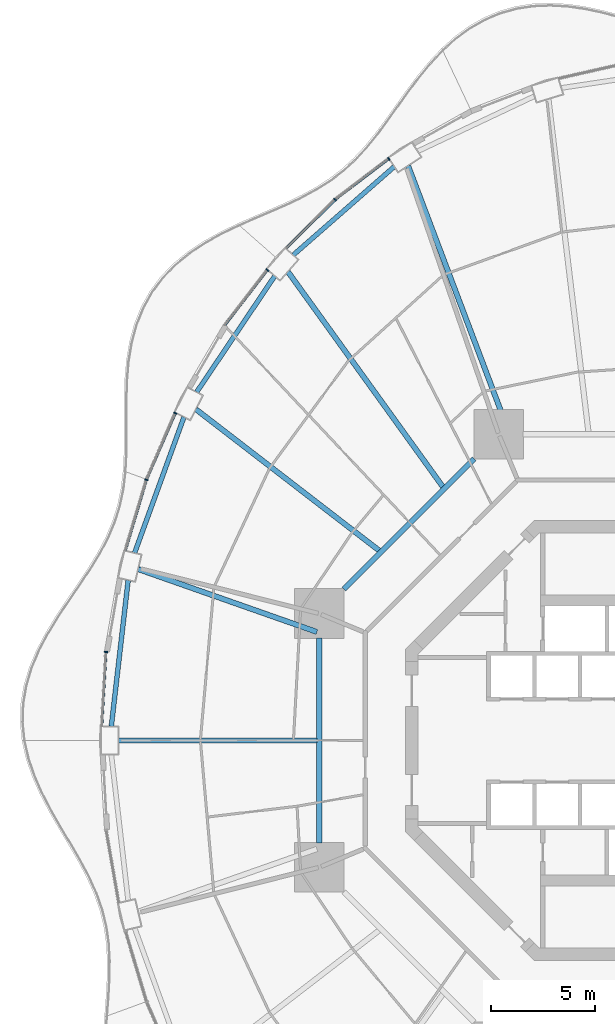
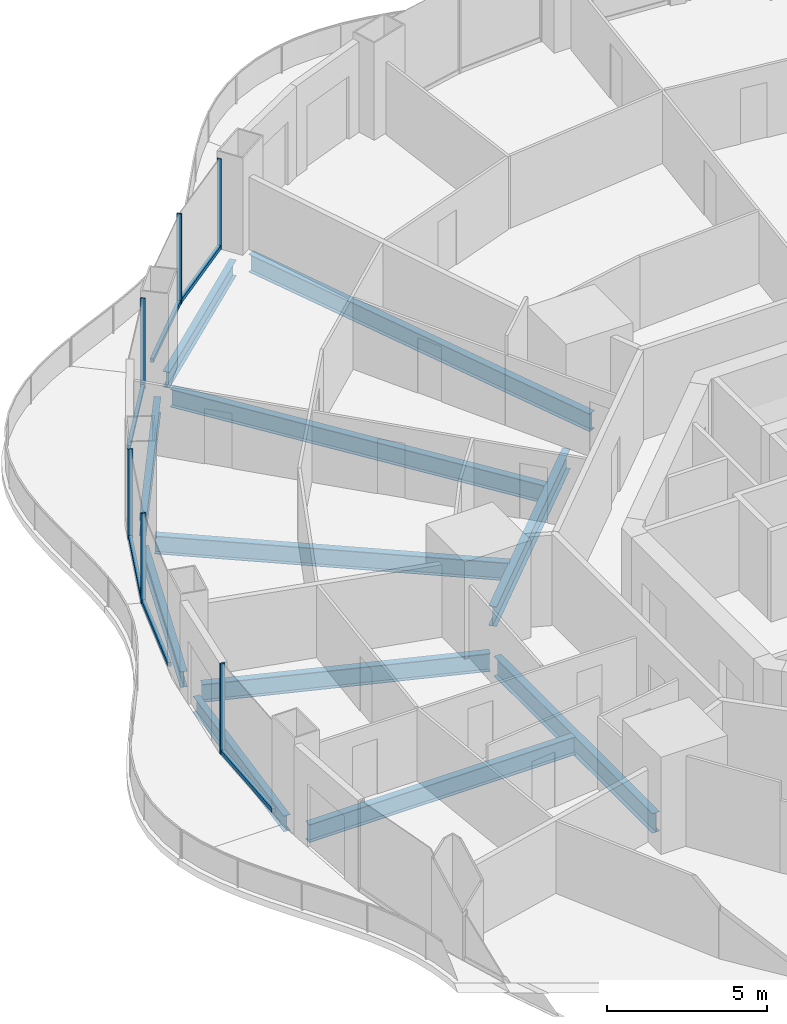
# One storey, part 7 of 23: 12 members, 11 beams, 6 elements without a shape of their own.
"""IFC4 building model written with IfcOpenShell, lengths in metres."""

from ifc_helpers import new_model, si_unit, direction, frame, origin, origin_2d, place, context, subcontext, project, spatial, rectangle, i_section, extrude, material, layer, layer_set, material_profile, profile_set, type_object, element, aggregate, save


model = new_model("IFC4")

# Units and contexts
model_context = context("Model", 3, precision=1e-05, world=origin(), true_north=direction((0.0, 1.0)))
body_context = subcontext(model_context, "Body", "Model", "MODEL_VIEW")
ifc_project = project(units=[si_unit("LENGTHUNIT", "METRE"), si_unit("AREAUNIT", "SQUARE_METRE"), si_unit("VOLUMEUNIT", "CUBIC_METRE"), si_unit("PLANEANGLEUNIT", "RADIAN"), si_unit("MASSUNIT", "GRAM", prefix="KILO")], contexts=[model_context])

# Site, building, storey
site_placement = place(None, origin())
site = spatial("IfcSite", under=ifc_project, at=site_placement, CompositionType="ELEMENT")
building_placement = place(site_placement, origin())
building = spatial("IfcBuilding", under=site, at=building_placement, Name="Nagisa Residences", CompositionType="ELEMENT")
storey_placement = place(building_placement, frame((0.0, 0.0, 56.60009765625)))
storey = spatial("IfcBuildingStorey", under=building, at=storey_placement, Name="L13", CompositionType="ELEMENT", Elevation=56.60009765625)

# Curtain wall, member
ifc_material_1 = material(Name="Concrete-coloured aluminium curtain wall system", Category="concrete")
ifc_layer = layer(ifc_material_1, 0.159912109375)
ifc_layer_set = layer_set([ifc_layer], Name="CW1 CURTAIN WALL")
curtain_wall_type = type_object("IfcCurtainWallType", Name="CW1 CURTAIN WALL", PredefinedType="NOTDEFINED", material=ifc_layer_set)
curtain_wall_1_placement = place(storey_placement, origin())
curtain_wall_1 = element("IfcCurtainWall", 1, at=curtain_wall_1_placement, inside=storey, type_object=curtain_wall_type, Name="cw:CW1:L13:16", PredefinedType="NOTDEFINED")
ifc_material_2 = material(Name="Concrete-coloured aluminium", Category="concrete")
ifc_material_profile_1 = material_profile(ifc_material_2, rectangle(XDim=0.159912109375, YDim=0.06005859375, at=origin_2d()), Name="CW1 MULLION 160x60")
ifc_profile_set_1 = profile_set([ifc_material_profile_1], Name="Concrete-coloured aluminium")
member_type_1 = type_object("IfcMemberType", Name="CW1 MULLION 160x60", PredefinedType="MULLION", material=ifc_profile_set_1)
member_1_placement = place(storey_placement, frame((-11.4326171875, 28.0732421875, 0.0), z_axis=(0.0, 0.0, 1.0), x_axis=(0.605255421737, -0.79603132756, 0.0)))
member_1 = element("IfcMember", 2, at=member_1_placement, type_object=member_type_1, Name="CW1 mullion", PredefinedType="MULLION", context=body_context, shape_type="SweptSolid", body=[
    extrude(rectangle(XDim=0.159912109375, YDim=0.06005859375, at=origin_2d()), origin(), (0.0, 0.0, 1.0), 3.43994140625),
])

curtain_wall_2_placement = place(storey_placement, origin())
curtain_wall_2 = element("IfcCurtainWall", 3, at=curtain_wall_2_placement, inside=storey, type_object=curtain_wall_type, Name="cw:CW1:L13:17", PredefinedType="NOTDEFINED")
member_2_placement = place(storey_placement, frame((-14.018798828125, 26.102783203125, 0.0), z_axis=(0.0, 0.0, 1.0), x_axis=(0.706376885714, -0.707835924016, 0.0)))
member_2 = element("IfcMember", 4, at=member_2_placement, type_object=member_type_1, Name="CW1 mullion", PredefinedType="MULLION", context=body_context, shape_type="SweptSolid", body=[
    extrude(rectangle(XDim=0.159912109375, YDim=0.06005859375, at=origin_2d()), origin(), (0.0, 0.0, 1.0), 3.43994140625),
])

curtain_wall_3_placement = place(storey_placement, origin())
curtain_wall_3 = element("IfcCurtainWall", 5, at=curtain_wall_3_placement, inside=storey, type_object=curtain_wall_type, Name="cw:CW1:L13:18", PredefinedType="NOTDEFINED")
member_3_placement = place(storey_placement, frame((-17.288330078125, 22.70751953125, 0.0), z_axis=(0.0, 0.0, 1.0), x_axis=(0.792070340816, -0.610429828235, 0.0)))
member_3 = element("IfcMember", 6, at=member_3_placement, type_object=member_type_1, Name="CW1 mullion", PredefinedType="MULLION", context=body_context, shape_type="SweptSolid", body=[
    extrude(rectangle(XDim=0.159912109375, YDim=0.06005859375, at=origin_2d()), origin(), (0.0, 0.0, 1.0), 3.43994140625),
])

curtain_wall_4_placement = place(storey_placement, origin())
curtain_wall_4 = element("IfcCurtainWall", 7, at=curtain_wall_4_placement, inside=storey, type_object=curtain_wall_type, Name="cw:CW1:L13:20", PredefinedType="NOTDEFINED")
member_4_placement = place(storey_placement, frame((-21.731689453125, 15.79833984375, 0.0), z_axis=(0.0, 0.0, 1.0), x_axis=(0.917543276295, -0.397635934147, 0.0)))
member_4 = element("IfcMember", 8, at=member_4_placement, type_object=member_type_1, Name="CW1 mullion", PredefinedType="MULLION", context=body_context, shape_type="SweptSolid", body=[
    extrude(rectangle(XDim=0.159912109375, YDim=0.06005859375, at=origin_2d()), origin(), (0.0, 0.0, 1.0), 3.43994140625),
])

curtain_wall_5_placement = place(storey_placement, origin())
curtain_wall_5 = element("IfcCurtainWall", 9, at=curtain_wall_5_placement, inside=storey, type_object=curtain_wall_type, Name="cw:CW1:L13:21", PredefinedType="NOTDEFINED")
member_5_placement = place(storey_placement, frame((-23.12451171875, 12.576904296875, 0.0), z_axis=(0.0, 0.0, 1.0), x_axis=(0.958271310082, -0.285860274038, 0.0)))
member_5 = element("IfcMember", 10, at=member_5_placement, type_object=member_type_1, Name="CW1 mullion", PredefinedType="MULLION", context=body_context, shape_type="SweptSolid", body=[
    extrude(rectangle(XDim=0.159912109375, YDim=0.06005859375, at=origin_2d()), origin(), (0.0, 0.0, 1.0), 3.43994140625),
])

curtain_wall_6_placement = place(storey_placement, origin())
curtain_wall_6 = element("IfcCurtainWall", 11, at=curtain_wall_6_placement, inside=storey, type_object=curtain_wall_type, Name="cw:CW1:L13:23", PredefinedType="NOTDEFINED")
member_6_placement = place(storey_placement, frame((-25.07373046875, 4.272705078125, 0.0), z_axis=(0.0, 0.0, 1.0), x_axis=(0.998345305184, -0.057503492216, 0.0)))
member_6 = element("IfcMember", 12, at=member_6_placement, type_object=member_type_1, Name="CW1 mullion", PredefinedType="MULLION", context=body_context, shape_type="SweptSolid", body=[
    extrude(rectangle(XDim=0.159912109375, YDim=0.06005859375, at=origin_2d()), origin(), (0.0, 0.0, 1.0), 3.43994140625),
])

# Member
ifc_material_3 = material(Name="Concrete-coloured aluminium", Category="concrete")
ifc_material_profile_2 = material_profile(ifc_material_3, rectangle(XDim=0.1201171875, YDim=0.14990234375, at=origin_2d()), Name="CW1 TRANSOM 120x150")
ifc_profile_set_2 = profile_set([ifc_material_profile_2], Name="Concrete-coloured aluminium")
member_type_2 = type_object("IfcMemberType", Name="CW1 TRANSOM 120x150", PredefinedType="USERDEFINED", material=ifc_profile_set_2)
member_7_placement = place(storey_placement, frame((-11.40869140625, 28.091552734375, 0.074951171875), z_axis=(-0.796022293214, -0.605267303517, 0.0), x_axis=(0.605267303517, -0.796022293214, 0.0)))
member_7 = element("IfcMember", 13, at=member_7_placement, type_object=member_type_2, Name="CW1 transom", ObjectType="TRANSOM", PredefinedType="USERDEFINED", context=body_context, shape_type="SweptSolid", body=[
    extrude(rectangle(XDim=0.1201171875, YDim=0.14990234375, at=origin_2d()), origin(), (0.0, 0.0, 1.0), 3.262451171875),
])

aggregate(curtain_wall_1, [member_1, member_7])

member_8_placement = place(storey_placement, frame((-13.99755859375, 26.1240234375, 0.074951171875), z_axis=(-0.707839761606, -0.706373040177, 0.0), x_axis=(0.706373040177, -0.707839761606, 0.0)))
member_8 = element("IfcMember", 14, at=member_8_placement, type_object=member_type_2, Name="CW1 transom", ObjectType="TRANSOM", PredefinedType="USERDEFINED", context=body_context, shape_type="SweptSolid", body=[
    extrude(rectangle(XDim=0.1201171875, YDim=0.14990234375, at=origin_2d()), origin(), (0.0, 0.0, 1.0), 3.3291015625),
])

aggregate(curtain_wall_2, [member_2, member_8])

member_9_placement = place(storey_placement, frame((-17.27001953125, 22.731201171875, 0.074951171875), z_axis=(-0.610457147657, -0.792049285635, 0.0), x_axis=(0.792049285635, -0.610457147657, 0.0)))
member_9 = element("IfcMember", 15, at=member_9_placement, type_object=member_type_2, Name="CW1 transom", ObjectType="TRANSOM", PredefinedType="USERDEFINED", context=body_context, shape_type="SweptSolid", body=[
    extrude(rectangle(XDim=0.1201171875, YDim=0.14990234375, at=origin_2d()), origin(), (0.0, 0.0, 1.0), 3.3974609375),
])

aggregate(curtain_wall_3, [member_3, member_9])

member_10_placement = place(storey_placement, frame((-21.7197265625, 15.825927734375, 0.074951171875), z_axis=(-0.397624958345, -0.917548032803, 0.0), x_axis=(0.917548032803, -0.397624958345, 0.0)))
member_10 = element("IfcMember", 16, at=member_10_placement, type_object=member_type_2, Name="CW1 transom", ObjectType="TRANSOM", PredefinedType="USERDEFINED", context=body_context, shape_type="SweptSolid", body=[
    extrude(rectangle(XDim=0.1201171875, YDim=0.14990234375, at=origin_2d()), origin(), (0.0, 0.0, 1.0), 3.51953125),
])

aggregate(curtain_wall_4, [member_4, member_10])

member_11_placement = place(storey_placement, frame((-23.115966796875, 12.605712890625, 0.074951171875), z_axis=(-0.285808431121, -0.958286773727, 0.0), x_axis=(0.958286773727, -0.285808431121, 0.0)))
member_11 = element("IfcMember", 17, at=member_11_placement, type_object=member_type_2, Name="CW1 transom", ObjectType="TRANSOM", PredefinedType="USERDEFINED", context=body_context, shape_type="SweptSolid", body=[
    extrude(rectangle(XDim=0.1201171875, YDim=0.14990234375, at=origin_2d()), origin(), (0.0, 0.0, 1.0), 3.5654296875),
])

aggregate(curtain_wall_5, [member_5, member_11])

member_12_placement = place(storey_placement, frame((-25.072021484375, 4.302734375, 0.074951171875), z_axis=(-0.057482603412, -0.998346508135, 0.0), x_axis=(0.998346508135, -0.057482603412, 0.0)))
member_12 = element("IfcMember", 18, at=member_12_placement, type_object=member_type_2, Name="CW1 transom", ObjectType="TRANSOM", PredefinedType="USERDEFINED", context=body_context, shape_type="SweptSolid", body=[
    extrude(rectangle(XDim=0.1201171875, YDim=0.14990234375, at=origin_2d()), origin(), (0.0, 0.0, 1.0), 3.6142578125),
])

aggregate(curtain_wall_6, [member_6, member_12])

# Beams
ifc_material_4 = material(Name="Steel ASTM A572 Gr 50", Category="steel")
ifc_material_profile_3 = material_profile(ifc_material_4, i_section(OverallWidth=0.264892578125, OverallDepth=0.7529296875, WebThickness=0.01318359375, FlangeThickness=0.01708984375, at=origin_2d()), Name="W760x147")
ifc_profile_set_3 = profile_set([ifc_material_profile_3], Name="Steel ASTM A572 Gr 50")
beam_type_1 = type_object("IfcBeamType", Name="Inner ring beam W760x147", PredefinedType="BEAM", material=ifc_profile_set_3)
beam_1_placement = place(storey_placement, frame((-7.308837890625, 13.59619140625, -0.63671875), z_axis=(-0.707106781187, -0.707106781187, 0.0), x_axis=(0.707106781187, -0.707106781187, 0.0)))
element("IfcBeam", 19, at=beam_1_placement, inside=storey, type_object=beam_type_1, Name="beam:L13:ib3", PredefinedType="BEAM", context=body_context, shape_type="SweptSolid", body=[
    extrude(i_section(OverallWidth=0.264892578125, OverallDepth=0.7529296875, WebThickness=0.01318359375, FlangeThickness=0.01708984375, at=origin_2d()), origin(), (0.0, 0.0, 1.0), 8.8916015625),
])
beam_2_placement = place(storey_placement, frame((-14.781982421875, 4.94287109375, -0.63671875), z_axis=(0.0, -1.0, 0.0), x_axis=(1.0, 0.0, 0.0)))
element("IfcBeam", 20, at=beam_2_placement, inside=storey, type_object=beam_type_1, Name="beam:L13:ib4", PredefinedType="BEAM", context=body_context, shape_type="SweptSolid", body=[
    extrude(i_section(OverallWidth=0.264892578125, OverallDepth=0.7529296875, WebThickness=0.01318359375, FlangeThickness=0.01708984375, at=origin_2d()), origin(), (0.0, 0.0, 1.0), 9.8857421875),
])
ifc_material_5 = material(Name="Steel ASTM A572 Gr 50", Category="steel")
ifc_material_profile_4 = material_profile(ifc_material_5, i_section(OverallWidth=0.22802734375, OverallDepth=0.60302734375, WebThickness=0.010498046875, FlangeThickness=0.014892578125, at=origin_2d()), Name="W610x101")
ifc_profile_set_4 = profile_set([ifc_material_profile_4], Name="Steel ASTM A572 Gr 50")
beam_type_2 = type_object("IfcBeamType", Name="Perimeter ring beam W610x101", PredefinedType="BEAM", material=ifc_profile_set_4)
beam_3_placement = place(storey_placement, frame((-11.166748046875, 27.693603515625, -0.5615234375), z_axis=(-0.752574357292, -0.658507279191, 0.0), x_axis=(0.658507279191, -0.752574357292, 0.0)))
element("IfcBeam", 21, at=beam_3_placement, inside=storey, type_object=beam_type_2, Name="beam:L13:pb09", PredefinedType="BEAM", context=body_context, shape_type="SweptSolid", body=[
    extrude(i_section(OverallWidth=0.22802734375, OverallDepth=0.60302734375, WebThickness=0.010498046875, FlangeThickness=0.014892578125, at=origin_2d()), origin(), (0.0, 0.0, 1.0), 6.47021484375),
])
beam_4_placement = place(storey_placement, frame((-16.935302734375, 22.411865234375, -0.5615234375), z_axis=(-0.558296806041, -0.829641293792, 0.0), x_axis=(0.829641293792, -0.558296806041, 0.0)))
element("IfcBeam", 22, at=beam_4_placement, inside=storey, type_object=beam_type_2, Name="beam:L13:pb10", PredefinedType="BEAM", context=body_context, shape_type="SweptSolid", body=[
    extrude(i_section(OverallWidth=0.22802734375, OverallDepth=0.60302734375, WebThickness=0.010498046875, FlangeThickness=0.014892578125, at=origin_2d()), origin(), (0.0, 0.0, 1.0), 6.74169921875),
])
beam_5_placement = place(storey_placement, frame((-21.315673828125, 15.60595703125, -0.5615234375), z_axis=(-0.341411143183, -0.939914055279, 0.0), x_axis=(0.939914055279, -0.341411143183, 0.0)))
element("IfcBeam", 23, at=beam_5_placement, inside=storey, type_object=beam_type_2, Name="beam:L13:pb11", PredefinedType="BEAM", context=body_context, shape_type="SweptSolid", body=[
    extrude(i_section(OverallWidth=0.22802734375, OverallDepth=0.60302734375, WebThickness=0.010498046875, FlangeThickness=0.014892578125, at=origin_2d()), origin(), (0.0, 0.0, 1.0), 6.96923828125),
])
beam_6_placement = place(storey_placement, frame((-24.00732421875, 7.7314453125, -0.5615234375), z_axis=(-0.114707660057, -0.993399291687, 0.0), x_axis=(0.993399291687, -0.114707660057, 0.0)))
element("IfcBeam", 24, at=beam_6_placement, inside=storey, type_object=beam_type_2, Name="beam:L13:pb12", PredefinedType="BEAM", context=body_context, shape_type="SweptSolid", body=[
    extrude(i_section(OverallWidth=0.22802734375, OverallDepth=0.60302734375, WebThickness=0.010498046875, FlangeThickness=0.014892578125, at=origin_2d()), origin(), (0.0, 0.0, 1.0), 7.09814453125),
])
ifc_material_6 = material(Name="Steel ASTM A572 Gr 50", Category="steel")
ifc_material_profile_5 = material_profile(ifc_material_6, i_section(OverallWidth=0.25390625, OverallDepth=0.68408203125, WebThickness=0.012451171875, FlangeThickness=0.018798828125, at=origin_2d()), Name="W690x140")
ifc_profile_set_5 = profile_set([ifc_material_profile_5], Name="Steel ASTM A572 Gr 50")
beam_type_3 = type_object("IfcBeamType", Name="Radial beam W690x140", PredefinedType="BEAM", material=ifc_profile_set_5)
beam_7_placement = place(storey_placement, frame((-10.493896484375, 27.7333984375, -0.60205078125), z_axis=(0.353887892206, -0.935287848606, 0.0), x_axis=(0.935287848606, 0.353887892206, 0.0)))
element("IfcBeam", 25, at=beam_7_placement, inside=storey, type_object=beam_type_3, Name="beam:L13:rb09", PredefinedType="BEAM", context=body_context, shape_type="SweptSolid", body=[
    extrude(i_section(OverallWidth=0.25390625, OverallDepth=0.68408203125, WebThickness=0.012451171875, FlangeThickness=0.018798828125, at=origin_2d()), origin(), (0.0, 0.0, 1.0), 13.725830078125),
])
beam_8_placement = place(storey_placement, frame((-16.29443359375, 22.62255859375, -0.60205078125), z_axis=(0.58445507622, -0.811426068031, 0.0), x_axis=(0.811426068031, 0.58445507622, 0.0)))
element("IfcBeam", 26, at=beam_8_placement, inside=storey, type_object=beam_type_3, Name="beam:L13:rb10", PredefinedType="BEAM", context=body_context, shape_type="SweptSolid", body=[
    extrude(i_section(OverallWidth=0.25390625, OverallDepth=0.68408203125, WebThickness=0.012451171875, FlangeThickness=0.018798828125, at=origin_2d()), origin(), (0.0, 0.0, 1.0), 12.78955078125),
])
beam_9_placement = place(storey_placement, frame((-20.73486328125, 15.982666015625, -0.60205078125), z_axis=(0.792016146736, -0.610500141941, 0.0), x_axis=(0.610500141941, 0.792016146736, 0.0)))
element("IfcBeam", 27, at=beam_9_placement, inside=storey, type_object=beam_type_3, Name="beam:L13:rb11", PredefinedType="BEAM", context=body_context, shape_type="SweptSolid", body=[
    extrude(i_section(OverallWidth=0.25390625, OverallDepth=0.68408203125, WebThickness=0.012451171875, FlangeThickness=0.018798828125, at=origin_2d()), origin(), (0.0, 0.0, 1.0), 11.160888671875),
])
beam_10_placement = place(storey_placement, frame((-23.520751953125, 8.26806640625, -0.60205078125), z_axis=(0.943414535235, -0.331615763659, 0.0), x_axis=(0.331615763659, 0.943414535235, 0.0)))
element("IfcBeam", 28, at=beam_10_placement, inside=storey, type_object=beam_type_3, Name="beam:L13:rb12", PredefinedType="BEAM", context=body_context, shape_type="SweptSolid", body=[
    extrude(i_section(OverallWidth=0.25390625, OverallDepth=0.68408203125, WebThickness=0.012451171875, FlangeThickness=0.018798828125, at=origin_2d()), origin(), (0.0, 0.0, 1.0), 9.142333984375),
])
beam_11_placement = place(storey_placement, frame((-24.469970703125, 0.0, -0.60205078125), z_axis=(1.0, 0.0, 0.0), x_axis=(0.0, 1.0, 0.0)))
element("IfcBeam", 29, at=beam_11_placement, inside=storey, type_object=beam_type_3, Name="beam:L13:rb13", PredefinedType="BEAM", context=body_context, shape_type="SweptSolid", body=[
    extrude(i_section(OverallWidth=0.25390625, OverallDepth=0.68408203125, WebThickness=0.012451171875, FlangeThickness=0.018798828125, at=origin_2d()), origin(), (0.0, 0.0, 1.0), 9.575439453125),
])

save(model, "model.ifc")
